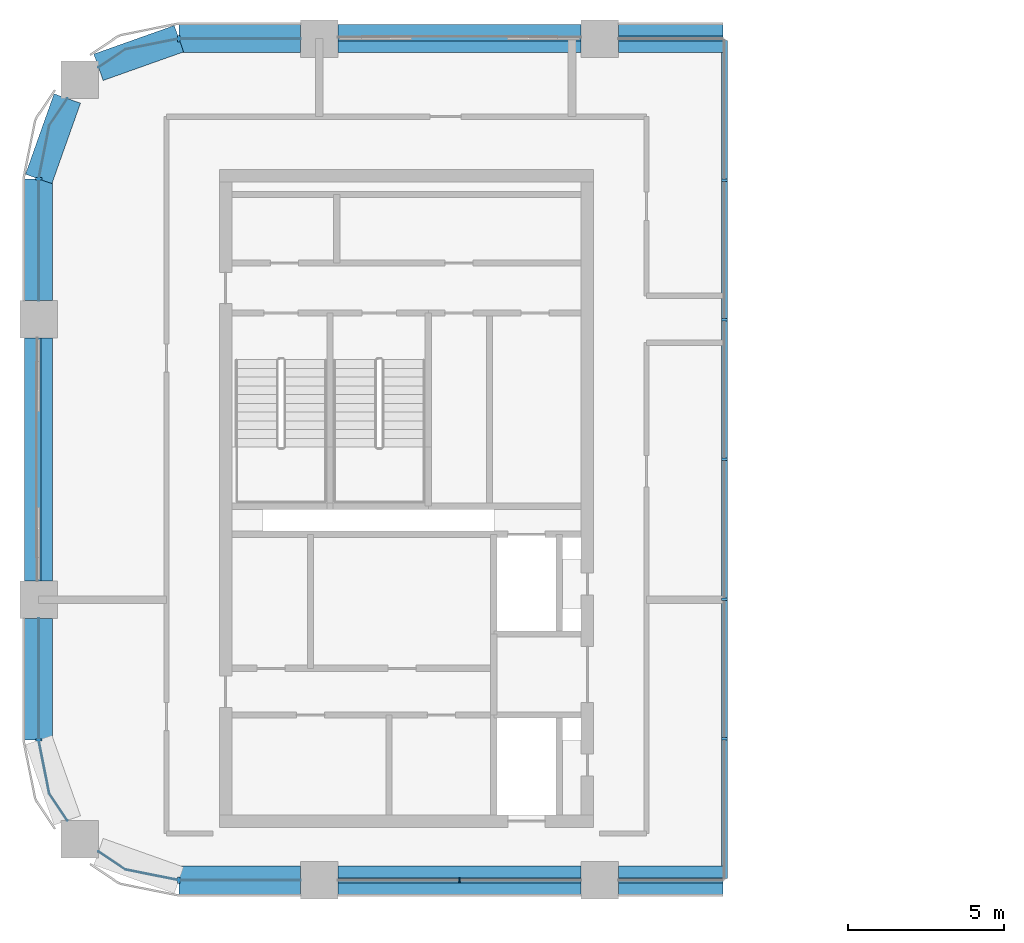
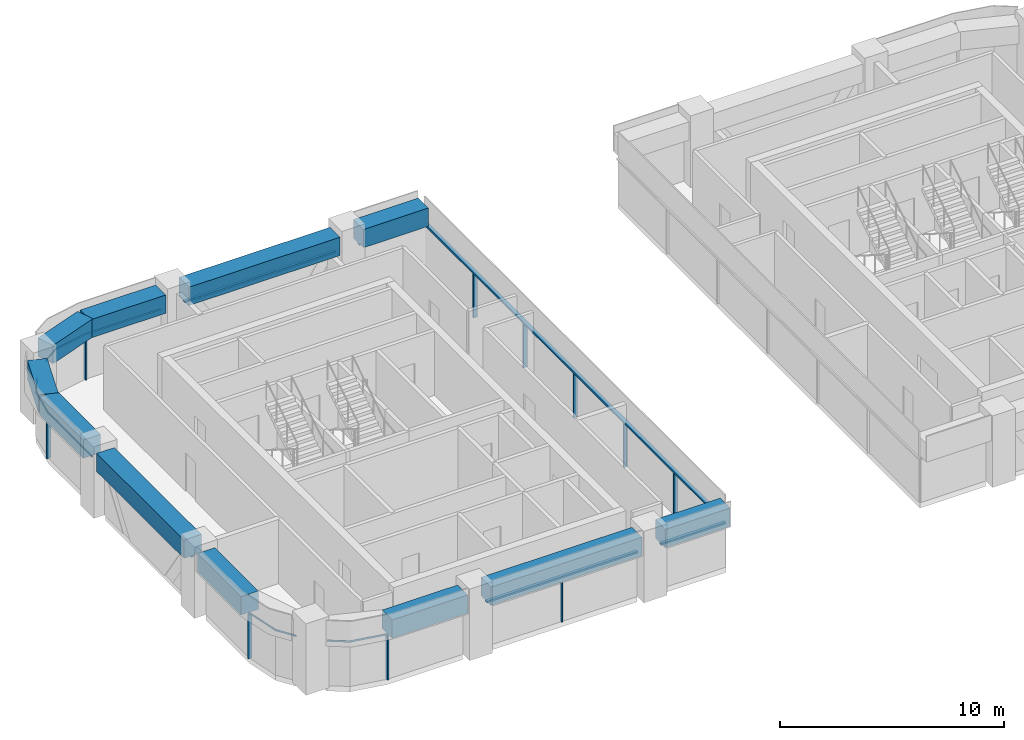
# One storey, part 2 of 11: 20 members, 11 beams, 10 elements without a shape of their own.
"""IFC4 building model written with IfcOpenShell, lengths in metres."""

from ifc_helpers import new_model, si_unit, direction, frame, origin, origin_2d, place, context, subcontext, project, spatial, polyline, rectangle, outline, extrude, material, material_profile, profile_set, type_object, element, aggregate, save


model = new_model("IFC4")

# Units and contexts
model_context = context("Model", 3, precision=1e-05, world=origin(), true_north=direction((0.0, 1.0)))
body_context = subcontext(model_context, "Body", "Model", "MODEL_VIEW")
ifc_project = project(units=[si_unit("LENGTHUNIT", "METRE"), si_unit("AREAUNIT", "SQUARE_METRE"), si_unit("VOLUMEUNIT", "CUBIC_METRE"), si_unit("PLANEANGLEUNIT", "RADIAN"), si_unit("MASSUNIT", "GRAM", prefix="KILO")], contexts=[model_context])

# Site, building, storey
site_placement = place(None, origin())
site = spatial("IfcSite", under=ifc_project, at=site_placement, CompositionType="ELEMENT")
building_placement = place(site_placement, origin())
building = spatial("IfcBuilding", under=site, at=building_placement, Name="Tessera Arch", CompositionType="ELEMENT")
storey_placement = place(building_placement, frame((0.0, 0.0, 222.800048828125)))
storey = spatial("IfcBuildingStorey", under=building, at=storey_placement, Name="L53", CompositionType="ELEMENT", Elevation=222.800048828125)

# Curtain wall, members
ifc_material_1 = material(Name="CW1 curtain wall")
curtain_wall_type_1 = type_object("IfcCurtainWallType", Name="CW1 curtain wall", PredefinedType="NOTDEFINED", material=ifc_material_1)
curtain_wall_1_placement = place(storey_placement, origin())
curtain_wall_1 = element("IfcCurtainWall", 1, at=curtain_wall_1_placement, inside=storey, type_object=curtain_wall_type_1, Name="CW1 curtain wall S27.0/0 L53", PredefinedType="NOTDEFINED")
ifc_material_2 = material(Name="Anodised aluminium pale metal", Category="aluminium")
ifc_material_profile_1 = material_profile(ifc_material_2, rectangle(XDim=0.159912109375, YDim=0.06005859375, at=origin_2d()), Name="AL 60x160")
ifc_profile_set_1 = profile_set([ifc_material_profile_1], Name="Anodised aluminium pale metal")
member_type_1 = type_object("IfcMemberType", Name="CW1 mullion", PredefinedType="MULLION", material=ifc_profile_set_1)
member_1_placement = place(storey_placement, frame((13.5, 27.0, 0.0), z_axis=(0.0, 0.0, 1.0), x_axis=(0.0, 1.0, 0.0)))
member_1 = element("IfcMember", 2, at=member_1_placement, type_object=member_type_1, Name="CW1 mullion S27.0/0 1", PredefinedType="MULLION", context=body_context, shape_type="SweptSolid", body=[
    extrude(rectangle(XDim=0.159912109375, YDim=0.06005859375, at=origin_2d()), origin(), (0.0, 0.0, 1.0), 2.39990234375),
])
ifc_material_3 = material(Name="Anodised aluminium pale metal", Category="aluminium")
ifc_material_profile_2 = material_profile(ifc_material_3, rectangle(XDim=0.159912109375, YDim=0.10009765625, at=origin_2d()), Name="AL 160x100")
ifc_profile_set_2 = profile_set([ifc_material_profile_2], Name="Anodised aluminium pale metal")
member_type_2 = type_object("IfcMemberType", Name="CW1 transom", PredefinedType="USERDEFINED", material=ifc_profile_set_2)
member_2_placement = place(storey_placement, frame((9.60009765625, 27.0, 2.449951171875), z_axis=(1.0, 0.0, 0.0), x_axis=(0.0, 1.0, 0.0)))
member_2 = element("IfcMember", 3, at=member_2_placement, type_object=member_type_2, Name="CW1 transom S27.0/0 1.1", ObjectType="TRANSOM", PredefinedType="USERDEFINED", context=body_context, shape_type="SweptSolid", body=[
    extrude(rectangle(XDim=0.159912109375, YDim=0.10009765625, at=origin_2d()), origin(), (0.0, 0.0, 1.0), 7.7998046875),
])
aggregate(curtain_wall_1, [member_1, member_2])

# Curtain wall, member
curtain_wall_2_placement = place(storey_placement, origin())
curtain_wall_2 = element("IfcCurtainWall", 4, at=curtain_wall_2_placement, inside=storey, type_object=curtain_wall_type_1, Name="CW1 curtain wall S27.0/1 L53", PredefinedType="NOTDEFINED")
member_3_placement = place(storey_placement, frame((18.60009765625, 27.0, 2.449951171875), z_axis=(1.0, 0.0, 0.0), x_axis=(0.0, 1.0, 0.0)))
member_3 = element("IfcMember", 5, at=member_3_placement, type_object=member_type_2, Name="CW1 transom S27.0/1 1.1", ObjectType="TRANSOM", PredefinedType="USERDEFINED", context=body_context, shape_type="SweptSolid", body=[
    extrude(rectangle(XDim=0.159912109375, YDim=0.10009765625, at=origin_2d()), origin(), (0.0, 0.0, 1.0), 3.349853515625),
])
aggregate(curtain_wall_2, [member_3])

curtain_wall_3_placement = place(storey_placement, origin())
curtain_wall_3 = element("IfcCurtainWall", 6, at=curtain_wall_3_placement, inside=storey, type_object=curtain_wall_type_1, Name="CW1 curtain wall N54.0/0 L53", PredefinedType="NOTDEFINED")
member_4_placement = place(storey_placement, frame((21.949951171875, 54.0, 2.449951171875), z_axis=(-1.0, 0.0, 0.0), x_axis=(0.0, -1.0, 0.0)))
member_4 = element("IfcMember", 7, at=member_4_placement, type_object=member_type_2, Name="CW1 transom N54.0/0 1.1", ObjectType="TRANSOM", PredefinedType="USERDEFINED", context=body_context, shape_type="SweptSolid", body=[
    extrude(rectangle(XDim=0.159912109375, YDim=0.10009765625, at=origin_2d()), origin(), (0.0, 0.0, 1.0), 3.349853515625),
])
aggregate(curtain_wall_3, [member_4])

ifc_material_4 = material(Name="CW2 curtain wall")
curtain_wall_type_2 = type_object("IfcCurtainWallType", Name="CW2 curtain wall", PredefinedType="NOTDEFINED", material=ifc_material_4)
curtain_wall_4_placement = place(storey_placement, origin())
curtain_wall_4 = element("IfcCurtainWall", 8, at=curtain_wall_4_placement, inside=storey, type_object=curtain_wall_type_2, Name="CW2 curtain wall N54.0/2 L53", PredefinedType="NOTDEFINED")
ifc_material_5 = material(Name="Anodised aluminium pale metal", Category="aluminium")
ifc_material_profile_3 = material_profile(ifc_material_5, rectangle(XDim=0.199951171875, YDim=0.080078125, at=origin_2d()), Name="AL 80x200")
ifc_profile_set_3 = profile_set([ifc_material_profile_3], Name="Anodised aluminium pale metal")
member_type_3 = type_object("IfcMemberType", Name="CW2 mullion", PredefinedType="MULLION", material=ifc_profile_set_3)
member_5_placement = place(storey_placement, frame((4.5, 54.0, 0.0), z_axis=(0.0, 0.0, 1.0), x_axis=(0.0, -1.0, 0.0)))
member_5 = element("IfcMember", 9, at=member_5_placement, type_object=member_type_3, Name="CW2 mullion N54.0/2 1", PredefinedType="MULLION", context=body_context, shape_type="SweptSolid", body=[
    extrude(rectangle(XDim=0.199951171875, YDim=0.080078125, at=origin_2d()), origin(), (0.0, 0.0, 1.0), 2.39990234375),
])

curtain_wall_5_placement = place(storey_placement, origin())
curtain_wall_5 = element("IfcCurtainWall", 10, at=curtain_wall_5_placement, inside=storey, type_object=curtain_wall_type_2, Name="CW2 curtain wall W0.27/0 L53", PredefinedType="NOTDEFINED")
member_6_placement = place(storey_placement, frame((0.0, 49.5, 0.0), z_axis=(0.0, 0.0, 1.0), x_axis=(1.0, 0.0, 0.0)))
member_6 = element("IfcMember", 11, at=member_6_placement, type_object=member_type_3, Name="CW2 mullion W0.27/0 1", PredefinedType="MULLION", context=body_context, shape_type="SweptSolid", body=[
    extrude(rectangle(XDim=0.199951171875, YDim=0.080078125, at=origin_2d()), origin(), (0.0, 0.0, 1.0), 2.39990234375),
])

curtain_wall_6_placement = place(storey_placement, origin())
curtain_wall_6 = element("IfcCurtainWall", 12, at=curtain_wall_6_placement, inside=storey, type_object=curtain_wall_type_2, Name="CW2 curtain wall W0.27/2 L53", PredefinedType="NOTDEFINED")
member_7_placement = place(storey_placement, frame((0.0, 31.5, 0.0), z_axis=(0.0, 0.0, 1.0), x_axis=(1.0, 0.0, 0.0)))
member_7 = element("IfcMember", 13, at=member_7_placement, type_object=member_type_3, Name="CW2 mullion W0.27/2 1", PredefinedType="MULLION", context=body_context, shape_type="SweptSolid", body=[
    extrude(rectangle(XDim=0.199951171875, YDim=0.080078125, at=origin_2d()), origin(), (0.0, 0.0, 1.0), 2.39990234375),
])

curtain_wall_7_placement = place(storey_placement, origin())
curtain_wall_7 = element("IfcCurtainWall", 14, at=curtain_wall_7_placement, inside=storey, type_object=curtain_wall_type_2, Name="CW2 curtain wall S27.0/2 L53", PredefinedType="NOTDEFINED")
member_8_placement = place(storey_placement, frame((4.5, 27.0, 0.0), z_axis=(0.0, 0.0, 1.0), x_axis=(0.0, 1.0, 0.0)))
member_8 = element("IfcMember", 15, at=member_8_placement, type_object=member_type_3, Name="CW2 mullion S27.0/2 1", PredefinedType="MULLION", context=body_context, shape_type="SweptSolid", body=[
    extrude(rectangle(XDim=0.199951171875, YDim=0.080078125, at=origin_2d()), origin(), (0.0, 0.0, 1.0), 2.39990234375),
])

# Member
ifc_material_6 = material(Name="Anodised aluminium pale metal", Category="aluminium")
ifc_material_profile_4 = material_profile(ifc_material_6, rectangle(XDim=0.199951171875, YDim=0.10009765625, at=origin_2d()), Name="AL 200x100")
ifc_profile_set_4 = profile_set([ifc_material_profile_4], Name="Anodised aluminium pale metal")
member_type_4 = type_object("IfcMemberType", Name="CW2 transom", PredefinedType="USERDEFINED", material=ifc_profile_set_4)
member_9_placement = place(storey_placement, frame((0.0, 0.0, 2.39990234375)))
member_9 = element("IfcMember", 16, at=member_9_placement, type_object=member_type_4, Name="CW2 transom N54.0/2 1", ObjectType="TRANSOM", PredefinedType="USERDEFINED", context=body_context, shape_type="SweptSolid", body=[
    extrude(outline(polyline([(4.5009765625, 53.989990234375), (8.39990234375, 53.989990234375), (8.39990234375, 54.010009765625), (4.4990234375, 54.010009765625), (2.77392578125, 53.6669921875), (1.912353515625, 53.09130859375), (1.923583984375, 53.07470703125), (2.78173828125, 53.648193359375), (4.5009765625, 53.989990234375)])), origin(), (0.0, 0.0, 1.0), 0.10009765625),
])

aggregate(curtain_wall_4, [member_5, member_9])

member_10_placement = place(storey_placement, frame((0.0, 0.0, 2.39990234375)))
member_10 = element("IfcMember", 17, at=member_10_placement, type_object=member_type_4, Name="CW2 transom W0.27/0 1", ObjectType="TRANSOM", PredefinedType="USERDEFINED", context=body_context, shape_type="SweptSolid", body=[
    extrude(outline(polyline([(0.351806640625, 51.21826171875), (0.92529296875, 52.076416015625), (0.90869140625, 52.087646484375), (0.3330078125, 51.22607421875), (-0.010009765625, 49.5009765625), (-0.010009765625, 45.60009765625), (0.010009765625, 45.60009765625), (0.010009765625, 49.4990234375), (0.351806640625, 51.21826171875)])), origin(), (0.0, 0.0, 1.0), 0.10009765625),
])

aggregate(curtain_wall_5, [member_6, member_10])

member_11_placement = place(storey_placement, frame((0.0, 0.0, 2.39990234375)))
member_11 = element("IfcMember", 18, at=member_11_placement, type_object=member_type_4, Name="CW2 transom W0.27/2 1", ObjectType="TRANSOM", PredefinedType="USERDEFINED", context=body_context, shape_type="SweptSolid", body=[
    extrude(outline(polyline([(0.010009765625, 31.5009765625), (0.010009765625, 35.39990234375), (-0.010009765625, 35.39990234375), (-0.010009765625, 31.4990234375), (0.3330078125, 29.77392578125), (0.90869140625, 28.912353515625), (0.92529296875, 28.923583984375), (0.351806640625, 29.78173828125), (0.010009765625, 31.5009765625)])), origin(), (0.0, 0.0, 1.0), 0.10009765625),
])

aggregate(curtain_wall_6, [member_7, member_11])

member_12_placement = place(storey_placement, frame((0.0, 0.0, 2.39990234375)))
member_12 = element("IfcMember", 19, at=member_12_placement, type_object=member_type_4, Name="CW2 transom S27.0/2 1", ObjectType="TRANSOM", PredefinedType="USERDEFINED", context=body_context, shape_type="SweptSolid", body=[
    extrude(outline(polyline([(2.78173828125, 27.351806640625), (1.923583984375, 27.92529296875), (1.912353515625, 27.90869140625), (2.77392578125, 27.3330078125), (4.4990234375, 26.989990234375), (8.39990234375, 26.989990234375), (8.39990234375, 27.010009765625), (4.5009765625, 27.010009765625), (2.78173828125, 27.351806640625)])), origin(), (0.0, 0.0, 1.0), 0.10009765625),
])

aggregate(curtain_wall_7, [member_8, member_12])

# Curtain wall, member
ifc_material_7 = material(Name="CW3 curtain wall")
curtain_wall_type_3 = type_object("IfcCurtainWallType", Name="CW3 curtain wall", PredefinedType="NOTDEFINED", material=ifc_material_7)
curtain_wall_8_placement = place(storey_placement, origin())
curtain_wall_8 = element("IfcCurtainWall", 20, at=curtain_wall_8_placement, inside=storey, type_object=curtain_wall_type_3, Name="CW3 curtain wall N54.0/1 L53", PredefinedType="NOTDEFINED")
ifc_material_8 = material(Name="Anodised aluminium pale metal", Category="aluminium")
ifc_material_profile_5 = material_profile(ifc_material_8, rectangle(XDim=0.139892578125, YDim=0.10009765625, at=origin_2d()), Name="AL 140x100")
ifc_profile_set_5 = profile_set([ifc_material_profile_5], Name="Anodised aluminium pale metal")
member_type_5 = type_object("IfcMemberType", Name="CW3 transom", PredefinedType="USERDEFINED", material=ifc_profile_set_5)
member_13_placement = place(storey_placement, frame((17.39990234375, 54.0, 2.449951171875), z_axis=(-1.0, 0.0, 0.0), x_axis=(0.0, -1.0, 0.0)))
member_13 = element("IfcMember", 21, at=member_13_placement, type_object=member_type_5, Name="CW3 transom N54.0/1 1.1", ObjectType="TRANSOM", PredefinedType="USERDEFINED", context=body_context, shape_type="SweptSolid", body=[
    extrude(rectangle(XDim=0.139892578125, YDim=0.10009765625, at=origin_2d()), origin(), (0.0, 0.0, 1.0), 7.7998046875),
])
aggregate(curtain_wall_8, [member_13])

curtain_wall_9_placement = place(storey_placement, origin())
curtain_wall_9 = element("IfcCurtainWall", 22, at=curtain_wall_9_placement, inside=storey, type_object=curtain_wall_type_3, Name="CW3 curtain wall W0.27/1 L53", PredefinedType="NOTDEFINED")
member_14_placement = place(storey_placement, frame((0.0, 44.39990234375, 2.449951171875), z_axis=(0.0, -1.0, 0.0), x_axis=(1.0, 0.0, 0.0)))
member_14 = element("IfcMember", 23, at=member_14_placement, type_object=member_type_5, Name="CW3 transom W0.27/1 1.1", ObjectType="TRANSOM", PredefinedType="USERDEFINED", context=body_context, shape_type="SweptSolid", body=[
    extrude(rectangle(XDim=0.139892578125, YDim=0.10009765625, at=origin_2d()), origin(), (0.0, 0.0, 1.0), 7.7998046875),
])
aggregate(curtain_wall_9, [member_14])

# Curtain wall, members
ifc_material_9 = material(Name="CW5 curtain wall")
curtain_wall_type_4 = type_object("IfcCurtainWallType", Name="CW5 curtain wall", PredefinedType="NOTDEFINED", material=ifc_material_9)
curtain_wall_10_placement = place(storey_placement, origin())
curtain_wall_10 = element("IfcCurtainWall", 24, at=curtain_wall_10_placement, inside=storey, type_object=curtain_wall_type_4, Name="CW5 curtain wall E22.27/0 L53", PredefinedType="NOTDEFINED")
ifc_material_10 = material(Name="Anodised aluminium pale metal", Category="aluminium")
ifc_material_profile_6 = material_profile(ifc_material_10, rectangle(XDim=0.199951171875, YDim=0.080078125, at=origin_2d()), Name="AL 80x200")
ifc_profile_set_6 = profile_set([ifc_material_profile_6], Name="Anodised aluminium pale metal")
member_type_6 = type_object("IfcMemberType", Name="CW5 mullion", PredefinedType="MULLION", material=ifc_profile_set_6)
member_15_placement = place(storey_placement, frame((22.0, 31.533447265625, 0.0), z_axis=(0.0, 0.0, 1.0), x_axis=(-1.0, 0.0, 0.0)))
member_15 = element("IfcMember", 25, at=member_15_placement, type_object=member_type_6, Name="CW5 mullion E22.27/0 1", PredefinedType="MULLION", context=body_context, shape_type="SweptSolid", body=[
    extrude(rectangle(XDim=0.199951171875, YDim=0.080078125, at=origin_2d()), origin(), (0.0, 0.0, 1.0), 2.39990234375),
])
member_16_placement = place(storey_placement, frame((22.0, 36.0166015625, 0.0), z_axis=(0.0, 0.0, 1.0), x_axis=(-1.0, 0.0, 0.0)))
member_16 = element("IfcMember", 26, at=member_16_placement, type_object=member_type_6, Name="CW5 mullion E22.27/0 2", PredefinedType="MULLION", context=body_context, shape_type="SweptSolid", body=[
    extrude(rectangle(XDim=0.199951171875, YDim=0.080078125, at=origin_2d()), origin(), (0.0, 0.0, 1.0), 2.39990234375),
])
member_17_placement = place(storey_placement, frame((22.0, 40.5, 0.0), z_axis=(0.0, 0.0, 1.0), x_axis=(-1.0, 0.0, 0.0)))
member_17 = element("IfcMember", 27, at=member_17_placement, type_object=member_type_6, Name="CW5 mullion E22.27/0 3", PredefinedType="MULLION", context=body_context, shape_type="SweptSolid", body=[
    extrude(rectangle(XDim=0.199951171875, YDim=0.080078125, at=origin_2d()), origin(), (0.0, 0.0, 1.0), 2.39990234375),
])
member_18_placement = place(storey_placement, frame((22.0, 44.9833984375, 0.0), z_axis=(0.0, 0.0, 1.0), x_axis=(-1.0, 0.0, 0.0)))
member_18 = element("IfcMember", 28, at=member_18_placement, type_object=member_type_6, Name="CW5 mullion E22.27/0 4", PredefinedType="MULLION", context=body_context, shape_type="SweptSolid", body=[
    extrude(rectangle(XDim=0.199951171875, YDim=0.080078125, at=origin_2d()), origin(), (0.0, 0.0, 1.0), 2.39990234375),
])
member_19_placement = place(storey_placement, frame((22.0, 49.466552734375, 0.0), z_axis=(0.0, 0.0, 1.0), x_axis=(-1.0, 0.0, 0.0)))
member_19 = element("IfcMember", 29, at=member_19_placement, type_object=member_type_6, Name="CW5 mullion E22.27/0 5", PredefinedType="MULLION", context=body_context, shape_type="SweptSolid", body=[
    extrude(rectangle(XDim=0.199951171875, YDim=0.080078125, at=origin_2d()), origin(), (0.0, 0.0, 1.0), 2.39990234375),
])
ifc_material_11 = material(Name="Anodised aluminium pale metal", Category="aluminium")
ifc_material_profile_7 = material_profile(ifc_material_11, rectangle(XDim=0.199951171875, YDim=0.10009765625, at=origin_2d()), Name="AL 200x100")
ifc_profile_set_7 = profile_set([ifc_material_profile_7], Name="Anodised aluminium pale metal")
member_type_7 = type_object("IfcMemberType", Name="CW5 transom", PredefinedType="USERDEFINED", material=ifc_profile_set_7)
member_20_placement = place(storey_placement, frame((22.0, 27.050048828125, 2.449951171875), z_axis=(0.0, 1.0, 0.0), x_axis=(-1.0, 0.0, 0.0)))
member_20 = element("IfcMember", 30, at=member_20_placement, type_object=member_type_7, Name="CW5 transom E22.27/0 1.1", ObjectType="TRANSOM", PredefinedType="USERDEFINED", context=body_context, shape_type="SweptSolid", body=[
    extrude(rectangle(XDim=0.199951171875, YDim=0.10009765625, at=origin_2d()), origin(), (0.0, 0.0, 1.0), 26.89990234375),
])
aggregate(curtain_wall_10, [member_15, member_16, member_17, member_18, member_19, member_20])

# Beams
ifc_material_12 = material(Name="Concrete C60/75", Category="concrete")
ifc_material_profile_8 = material_profile(ifc_material_12, rectangle(XDim=0.89990234375, YDim=1.0, at=origin_2d()), Name="RC spandrel beam 900 x 1000 Concrete C60/75")
ifc_profile_set_8 = profile_set([ifc_material_profile_8], Name="Concrete C60/75")
beam_type = type_object("IfcBeamType", Name="RC spandrel beam 900 x 1000 Concrete C60/75", PredefinedType="BEAM", material=ifc_profile_set_8)
beam_1_placement = place(storey_placement, frame((9.60009765625, 27.0, 3.0), z_axis=(1.0, 0.0, 0.0), x_axis=(0.0, 1.0, 0.0)))
element("IfcBeam", 31, at=beam_1_placement, inside=storey, type_object=beam_type, Name="Spandrel beam L53 S27.0/0", PredefinedType="BEAM", context=body_context, shape_type="SweptSolid", body=[
    extrude(rectangle(XDim=0.89990234375, YDim=1.0, at=origin_2d()), origin(), (0.0, 0.0, 1.0), 7.7998046875),
])
for number, where, z_axis, x_axis, name in (
    (32, (18.60009765625, 27.0, 3.0), (1.0, 0.0, 0.0), (0.0, 1.0, 0.0), "Spandrel beam L53 S27.0/1"),
    (33, (21.949951171875, 54.0, 3.0), (-1.0, 0.0, 0.0), (0.0, -1.0, 0.0), "Spandrel beam L53 N54.0/0"),
):
    element("IfcBeam", number, at=place(storey_placement, frame(where, z_axis=z_axis, x_axis=x_axis)), inside=storey, type_object=beam_type, Name=name, PredefinedType="BEAM", context=body_context, shape_type="SweptSolid", body=[
        extrude(rectangle(XDim=0.89990234375, YDim=1.0, at=origin_2d()), origin(), (0.0, 0.0, 1.0), 3.349853515625),
    ])
beam_2_placement = place(storey_placement, frame((17.39990234375, 54.0, 3.0), z_axis=(-1.0, 0.0, 0.0), x_axis=(0.0, -1.0, 0.0)))
element("IfcBeam", 34, at=beam_2_placement, inside=storey, type_object=beam_type, Name="Spandrel beam L53 N54.0/1", PredefinedType="BEAM", context=body_context, shape_type="SweptSolid", body=[
    extrude(rectangle(XDim=0.89990234375, YDim=1.0, at=origin_2d()), origin(), (0.0, 0.0, 1.0), 7.7998046875),
])
beam_3_placement = place(storey_placement, frame((8.39990234375, 54.0, 3.0), z_axis=(-1.0, 0.0, 0.0), x_axis=(0.0, -1.0, 0.0)))
element("IfcBeam", 35, at=beam_3_placement, inside=storey, type_object=beam_type, Name="Spandrel beam L53 N54.0/2.1", PredefinedType="BEAM", context=body_context, shape_type="SweptSolid", body=[
    extrude(rectangle(XDim=0.89990234375, YDim=1.0, at=origin_2d()), origin(), (0.0, 0.0, 1.0), 3.89990234375),
])
for number, where, z_axis, x_axis, name in (
    (36, (4.5, 54.0, 3.0), (-0.942337127159, -0.334665114373, 0.0), (0.334665114373, -0.942337127159, 0.0), "Spandrel beam L53 N54.0/2.2"),
    (37, (0.9169921875, 52.08203125, 3.0), (-0.334665114373, -0.942337127159, 0.0), (0.942337127159, -0.334665114373, 0.0), "Spandrel beam L53 W0.27/0.1"),
):
    element("IfcBeam", number, at=place(storey_placement, frame(where, z_axis=z_axis, x_axis=x_axis)), inside=storey, type_object=beam_type, Name=name, PredefinedType="BEAM", context=body_context, shape_type="SweptSolid", body=[
        extrude(rectangle(XDim=0.89990234375, YDim=1.0, at=origin_2d()), origin(), (0.0, 0.0, 1.0), 2.739990234375),
    ])
beam_4_placement = place(storey_placement, frame((0.0, 49.5, 3.0), z_axis=(0.0, -1.0, 0.0), x_axis=(1.0, 0.0, 0.0)))
element("IfcBeam", 38, at=beam_4_placement, inside=storey, type_object=beam_type, Name="Spandrel beam L53 W0.27/0.2", PredefinedType="BEAM", context=body_context, shape_type="SweptSolid", body=[
    extrude(rectangle(XDim=0.89990234375, YDim=1.0, at=origin_2d()), origin(), (0.0, 0.0, 1.0), 3.89990234375),
])
beam_5_placement = place(storey_placement, frame((0.0, 44.39990234375, 3.0), z_axis=(0.0, -1.0, 0.0), x_axis=(1.0, 0.0, 0.0)))
element("IfcBeam", 39, at=beam_5_placement, inside=storey, type_object=beam_type, Name="Spandrel beam L53 W0.27/1", PredefinedType="BEAM", context=body_context, shape_type="SweptSolid", body=[
    extrude(rectangle(XDim=0.89990234375, YDim=1.0, at=origin_2d()), origin(), (0.0, 0.0, 1.0), 7.7998046875),
])
for number, where, z_axis, x_axis, name in (
    (40, (0.0, 35.39990234375, 3.0), (0.0, -1.0, 0.0), (1.0, 0.0, 0.0), "Spandrel beam L53 W0.27/2.1"),
    (41, (4.5, 27.0, 3.0), (1.0, 0.0, 0.0), (0.0, 1.0, 0.0), "Spandrel beam L53 S27.0/2.2"),
):
    element("IfcBeam", number, at=place(storey_placement, frame(where, z_axis=z_axis, x_axis=x_axis)), inside=storey, type_object=beam_type, Name=name, PredefinedType="BEAM", context=body_context, shape_type="SweptSolid", body=[
        extrude(rectangle(XDim=0.89990234375, YDim=1.0, at=origin_2d()), origin(), (0.0, 0.0, 1.0), 3.89990234375),
    ])

save(model, "model.ifc")
